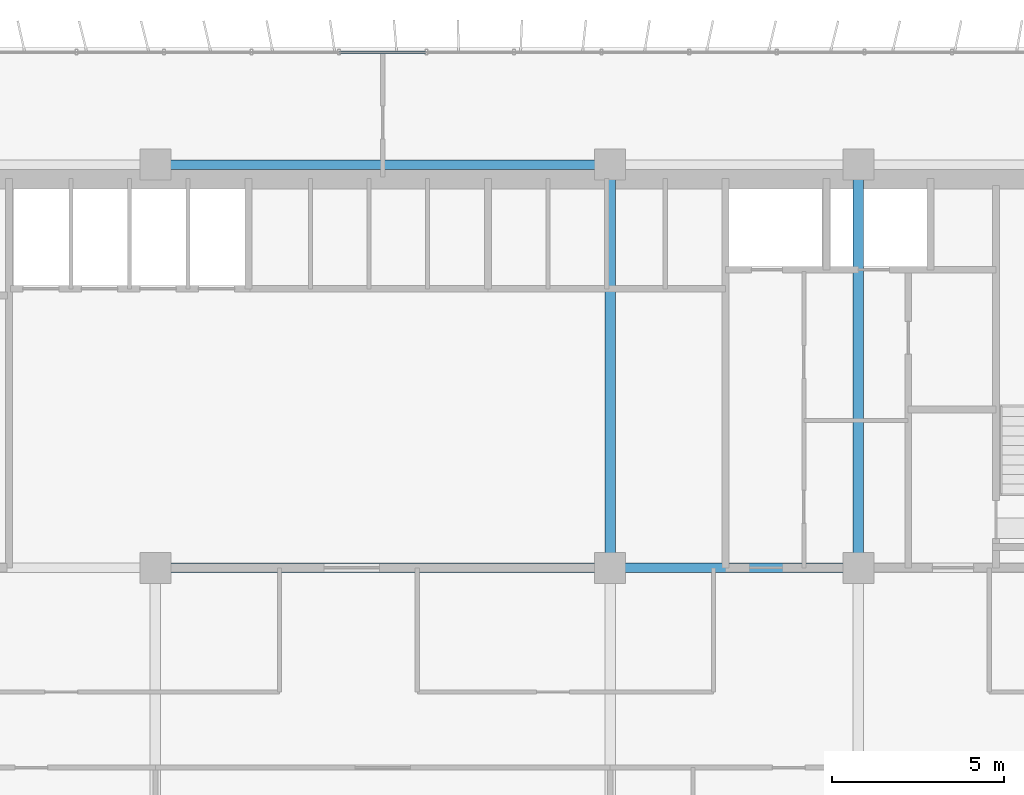
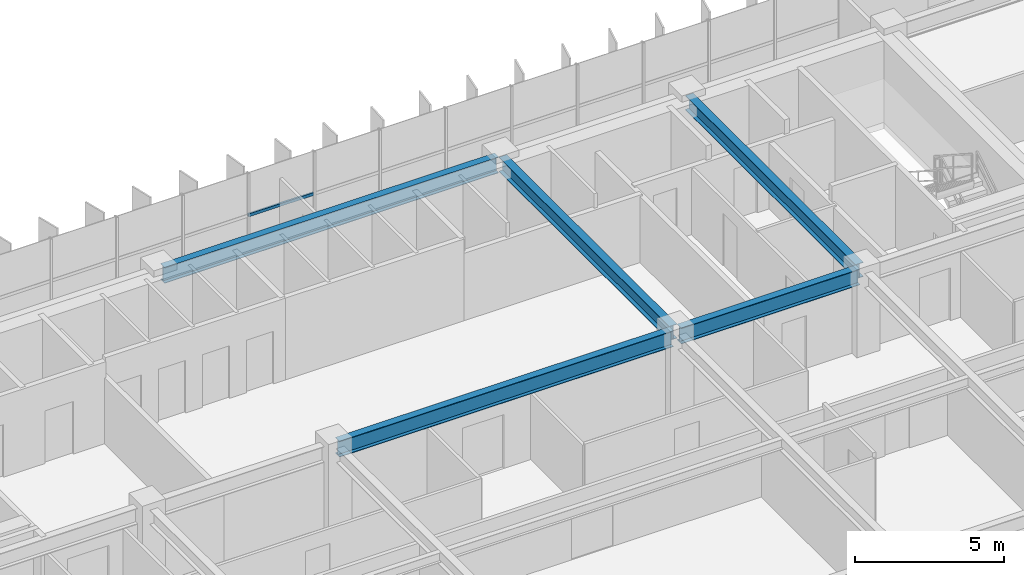
# One storey, part 12 of 25: 5 beams, 1 member, 1 element without a shape of its own.
"""IFC4 building model written with IfcOpenShell, lengths in metres."""

from ifc_helpers import new_model, si_unit, direction, frame, origin, origin_2d, place, context, subcontext, project, spatial, hollow_rectangle, i_section, extrude, source, transform, mapped, material, material_profile, profile_set, type_object, element, aggregate, save


model = new_model("IFC4")

# Units and contexts
model_context = context("Model", 3, precision=1e-05, world=origin(), true_north=direction((0.0, 1.0)))
body_context = subcontext(model_context, "Body", "Model", "MODEL_VIEW")
ifc_project = project(units=[si_unit("LENGTHUNIT", "METRE"), si_unit("AREAUNIT", "SQUARE_METRE"), si_unit("VOLUMEUNIT", "CUBIC_METRE"), si_unit("PLANEANGLEUNIT", "RADIAN"), si_unit("MASSUNIT", "GRAM", prefix="KILO")], contexts=[model_context])

# Site, building, storey
site_placement = place(None, origin())
site = spatial("IfcSite", under=ifc_project, at=site_placement, CompositionType="ELEMENT")
building_placement = place(site_placement, origin())
building = spatial("IfcBuilding", under=site, at=building_placement, Name="Trelvane Seafront Commons", CompositionType="ELEMENT")
storey_placement = place(building_placement, frame((0.0, 0.0, 66.699951171875)))
storey = spatial("IfcBuildingStorey", under=building, at=storey_placement, Name="L17", CompositionType="ELEMENT", Elevation=66.699951171875)

# Beams
ifc_material_1 = material(Name="Steel SM355 (S355)", Category="steel")
ifc_material_profile_1 = material_profile(ifc_material_1, i_section(OverallWidth=0.280029296875, OverallDepth=0.64990234375, WebThickness=0.012939453125, FlangeThickness=0.02197265625, at=origin_2d()), Name="H-650x280x13x22")
ifc_profile_set_1 = profile_set([ifc_material_profile_1], Name="Steel SM355 (S355)")
beam_type_1 = type_object("IfcBeamType", Name="STR-BM-H650", PredefinedType="BEAM", material=ifc_profile_set_1)
shared_shape_1 = source(origin(), body_context, "Body", "SweptSolid", [
    extrude(i_section(OverallWidth=0.280029296875, OverallDepth=0.64990234375, WebThickness=0.012939453125, FlangeThickness=0.02197265625, at=origin_2d()), origin(), (0.0, 0.0, 1.0), 12.89990234375),
])
for number, where, z_axis, x_axis, name in (
    (1, (30.75, 33.39990234375, 3.01513671875), (1.0, 0.0, 0.0), (0.0, 1.0, 0.0), "L17 Primary Girder G-23"),
    (2, (30.75, 45.10009765625, 3.01513671875), (1.0, 0.0, 0.0), (0.0, 1.0, 0.0), "L17 Primary Girder G-32"),
):
    element("IfcBeam", number, at=place(storey_placement, frame(where, z_axis=z_axis, x_axis=x_axis)), inside=storey, type_object=beam_type_1, Name=name, PredefinedType="BEAM", context=body_context, shape_type="MappedRepresentation", body=[
        mapped(shared_shape_1, transform((0.0, 0.0, 0.0), x_axis=(1.0, 0.0, 0.0), y_axis=(0.0, 1.0, 0.0), z_axis=(0.0, 0.0, 1.0), scale=1.0)),
    ])
shared_shape_2 = source(origin(), body_context, "Body", "SweptSolid", [
    extrude(i_section(OverallWidth=0.280029296875, OverallDepth=0.64990234375, WebThickness=0.012939453125, FlangeThickness=0.02197265625, at=origin_2d()), origin(), (0.0, 0.0, 1.0), 6.900146484375),
])
beam_placement = place(storey_placement, frame((43.949951171875, 33.39990234375, 3.01513671875), z_axis=(1.0, 0.0, 0.0), x_axis=(0.0, 1.0, 0.0)))
element("IfcBeam", 3, at=beam_placement, inside=storey, type_object=beam_type_1, Name="L17 Primary Girder G-24", PredefinedType="BEAM", context=body_context, shape_type="MappedRepresentation", body=[
    mapped(shared_shape_2, transform((0.0, 0.0, 0.0), x_axis=(1.0, 0.0, 0.0), y_axis=(0.0, 1.0, 0.0), z_axis=(0.0, 0.0, 1.0), scale=1.0)),
])
ifc_material_profile_2 = material_profile(ifc_material_1, i_section(OverallWidth=0.300048828125, OverallDepth=0.587890625, WebThickness=0.011962890625, FlangeThickness=0.02001953125, at=origin_2d()), Name="H-588x300x12x20")
ifc_profile_set_2 = profile_set([ifc_material_profile_2], Name="Steel SM355 (S355)")
beam_type_2 = type_object("IfcBeamType", Name="STR-BM-H588", PredefinedType="BEAM", material=ifc_profile_set_2)
shared_shape_3 = source(origin(), body_context, "Body", "SweptSolid", [
    extrude(i_section(OverallWidth=0.300048828125, OverallDepth=0.587890625, WebThickness=0.011962890625, FlangeThickness=0.02001953125, at=origin_2d()), origin(), (0.0, 0.0, 1.0), 11.39990234375),
])
for number, where, z_axis, x_axis, name in (
    (4, (43.800048828125, 33.550048828125, 3.046142578125), (0.0, 1.0, 0.0), (-1.0, 0.0, 0.0), "L17 Primary Girder G-54"),
    (5, (51.0, 33.550048828125, 3.046142578125), (0.0, 1.0, 0.0), (-1.0, 0.0, 0.0), "L17 Primary Girder G-57"),
):
    element("IfcBeam", number, at=place(storey_placement, frame(where, z_axis=z_axis, x_axis=x_axis)), inside=storey, type_object=beam_type_2, Name=name, PredefinedType="BEAM", context=body_context, shape_type="MappedRepresentation", body=[
        mapped(shared_shape_3, transform((0.0, 0.0, 0.0), x_axis=(1.0, 0.0, 0.0), y_axis=(0.0, 1.0, 0.0), z_axis=(0.0, 0.0, 1.0), scale=1.0)),
    ])

# Curtain wall, member
ifc_material_2 = material(Name="Anodised pale-silver aluminium", Category="aluminium")
curtain_wall_type = type_object("IfcCurtainWallType", Name="ARCH-CW2-LOWTOWER", PredefinedType="NOTDEFINED", material=ifc_material_2)
curtain_wall_placement = place(storey_placement, origin())
curtain_wall = element("IfcCurtainWall", 6, at=curtain_wall_placement, inside=storey, type_object=curtain_wall_type, Name="CW-L17-0041", PredefinedType="NOTDEFINED")
ifc_material_profile_3 = material_profile(ifc_material_2, hollow_rectangle(XDim=0.070068359375, YDim=0.1201171875, WallThickness=0.00390625, at=origin_2d()), Name="TRAN-70x120x4")
ifc_profile_set_3 = profile_set([ifc_material_profile_3], Name="Anodised pale-silver aluminium")
member_type = type_object("IfcMemberType", Name="ARCH-CW-TRAN-120", PredefinedType="USERDEFINED", material=ifc_profile_set_3)
shared_shape_4 = source(origin(), body_context, "Body", "SweptSolid", [
    extrude(hollow_rectangle(XDim=0.070068359375, YDim=0.1201171875, WallThickness=0.00390625, at=origin_2d()), origin(), (0.0, 0.0, 1.0), 2.51708984375),
])
member_placement = place(storey_placement, frame((35.94140625, 48.3701171875, 1.60302734375), z_axis=(1.0, 0.0, 0.0), x_axis=(0.0, 1.0, 0.0)))
member = element("IfcMember", 7, at=member_placement, type_object=member_type, Name="CW-L17-0041-T08", ObjectType="TRANSOM", PredefinedType="USERDEFINED", context=body_context, shape_type="MappedRepresentation", body=[
    mapped(shared_shape_4, transform((0.0, 0.0, 0.0), x_axis=(1.0, 0.0, 0.0), y_axis=(0.0, 1.0, 0.0), z_axis=(0.0, 0.0, 1.0), scale=1.0)),
])
aggregate(curtain_wall, [member])

save(model, "model.ifc")
